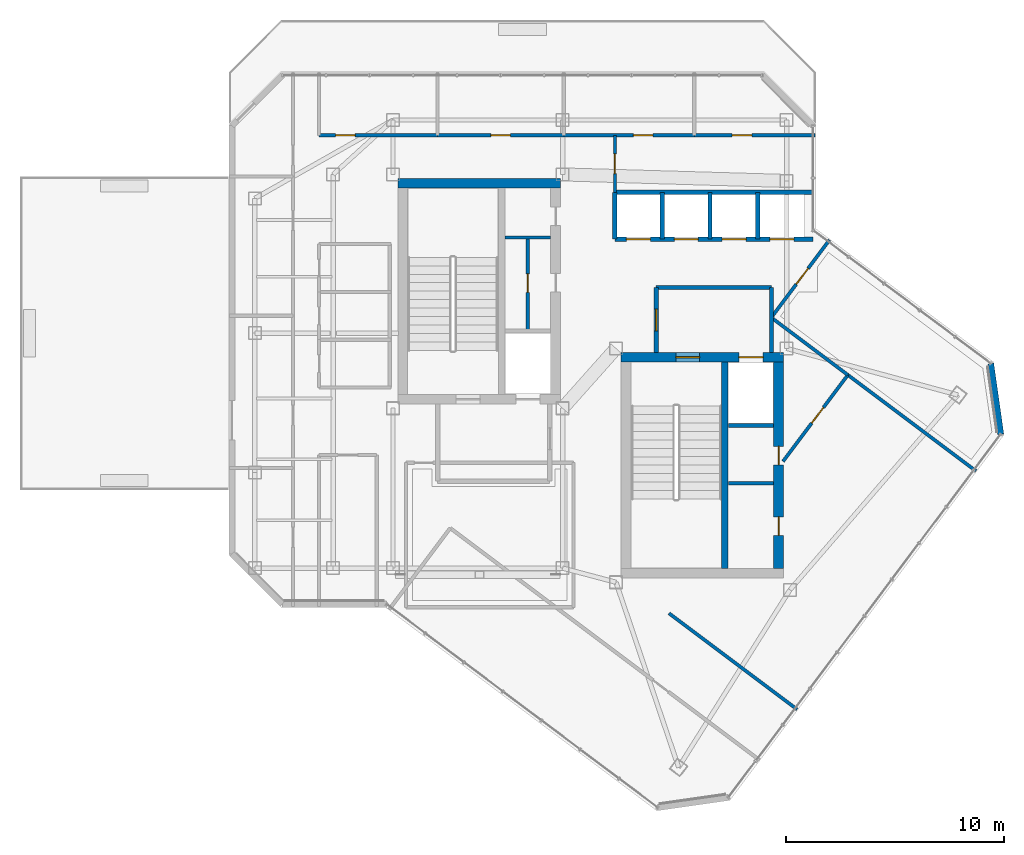
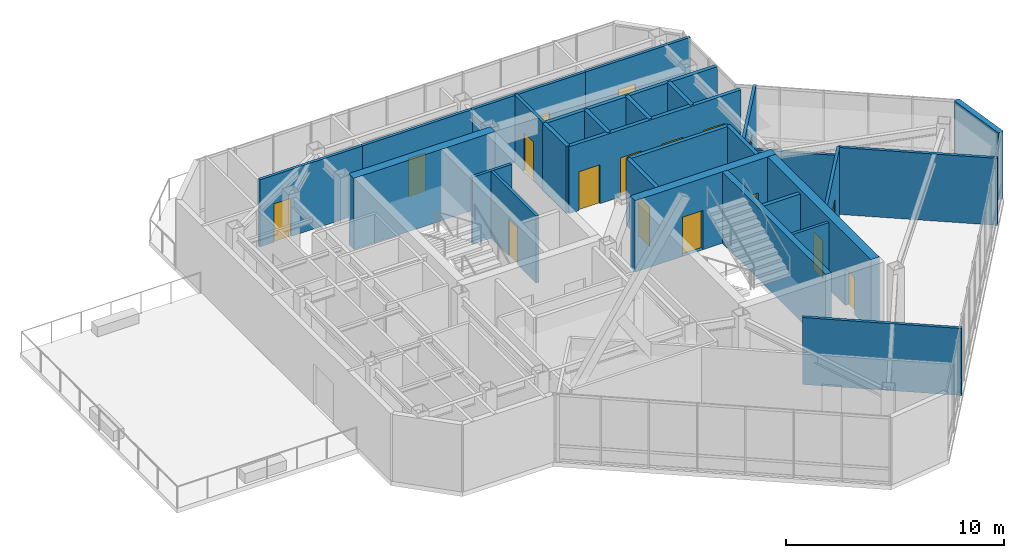
# One storey, part 17 of 21: 28 walls, 17 doors, 17 openings.
"""IFC4 building model written with IfcOpenShell, lengths in metres."""

from ifc_helpers import new_model, si_unit, direction, frame, frame_2d, origin, place, context, subcontext, project, spatial, rectangle, extrude, material, layer, layer_set, type_object, element, fill, save


model = new_model("IFC4")

# Units and contexts
model_context = context("Model", 3, precision=1e-05, world=origin(), true_north=direction((0.0, 1.0)))
body_context = subcontext(model_context, "Body", "Model", "MODEL_VIEW")
ifc_project = project(units=[si_unit("LENGTHUNIT", "METRE"), si_unit("AREAUNIT", "SQUARE_METRE"), si_unit("VOLUMEUNIT", "CUBIC_METRE"), si_unit("PLANEANGLEUNIT", "RADIAN"), si_unit("MASSUNIT", "GRAM", prefix="KILO")], contexts=[model_context])

# Site, building, storey
site_placement = place(None, origin())
site = spatial("IfcSite", under=ifc_project, at=site_placement, CompositionType="ELEMENT")
building_placement = place(site_placement, origin())
building = spatial("IfcBuilding", under=site, at=building_placement, Name="Hatsunagi Terrace Concourse", CompositionType="ELEMENT")
storey_placement = place(building_placement, frame((0.0, 0.0, 265.949951171875)))
storey = spatial("IfcBuildingStorey", under=building, at=storey_placement, Name="L70", CompositionType="ELEMENT", Elevation=265.949951171875)

# Wall
ifc_material_1 = material(Name="Concrete Fc42", Category="concrete")
ifc_layer_1 = layer(ifc_material_1, 0.449951171875)
ifc_layer_set_1 = layer_set([ifc_layer_1], Name="CoreShearWall_Fc42_450")
wall_type_1 = type_object("IfcWallType", Name="CoreShearWall_Fc42_450", PredefinedType="SHEAR", material=ifc_layer_set_1)
wall_1_placement = place(storey_placement, frame((25.77001953125, 42.89501953125, 0.0), z_axis=(0.0, 0.0, 1.0), x_axis=(1.0, 0.0, 0.0)))
element("IfcWall", 1, at=wall_1_placement, inside=storey, type_object=wall_type_1, Name="Core A Shear Wall N L70", PredefinedType="SHEAR", context=body_context, shape_type="SweptSolid", body=[
    extrude(rectangle(XDim=7.47998046875, YDim=0.449951171875, at=frame_2d((3.739990234375, 0.0))), origin(), (0.0, 0.0, 1.0), 4.0),
])

# Wall, openings, doors
wall_2_placement = place(storey_placement, frame((36.0400390625, 34.89501953125, 0.0), z_axis=(0.0, 0.0, 1.0), x_axis=(1.0, 0.0, 0.0)))
wall_2 = element("IfcWall", 2, at=wall_2_placement, inside=storey, type_object=wall_type_1, Name="Core B Shear Wall N L70", PredefinedType="SHEAR", context=body_context, shape_type="SweptSolid", body=[
    extrude(rectangle(XDim=7.4599609375, YDim=0.449951171875, at=frame_2d((3.72998046875, 0.0))), origin(), (0.0, 0.0, 1.0), 4.0),
])
opening_1_placement = place(wall_2_placement, frame((2.510009765625, 0.0, 0.0)))
opening_1 = element("IfcOpeningElement", 3, at=opening_1_placement, cuts=wall_2, Name="Opening DR-110S", PredefinedType="OPENING", context=body_context, shape_type="SweptSolid", body=[
    extrude(rectangle(XDim=1.10009765625, YDim=2.199951171875, at=frame_2d((0.550048828125, 1.10009765625))), frame((0.0, 0.23486328125, 0.0), z_axis=(0.0, -1.0, 0.0), x_axis=(1.0, 0.0, 0.0)), (0.0, 0.0, 1.0), 0.469970703125),
])
opening_2_placement = place(wall_2_placement, frame((5.409912109375, 0.0, 0.0)))
opening_2 = element("IfcOpeningElement", 4, at=opening_2_placement, cuts=wall_2, Name="Opening LD-02", PredefinedType="OPENING", context=body_context, shape_type="SweptSolid", body=[
    extrude(rectangle(XDim=1.1201171875, YDim=2.14990234375, at=frame_2d((0.56005859375, 1.074951171875))), frame((0.0, 0.23486328125, 0.0), z_axis=(0.0, -1.0, 0.0), x_axis=(1.0, 0.0, 0.0)), (0.0, 0.0, 1.0), 0.469970703125),
])
ifc_material_2 = material(Name="Stainless steel", Category="steel")
door_type_1 = type_object("IfcDoorType", Name="LiftLandingDoor_LD02", OperationType="SLIDING_TO_RIGHT", PredefinedType="USERDEFINED", material=ifc_material_2)
door_1_placement = place(opening_2_placement, origin())
door_1 = element("IfcDoor", 5, at=door_1_placement, inside=storey, type_object=door_type_1, Name="Lift landing door FF-02 L70", ObjectType="SLIDING_LANDING_DOOR", OperationType="SLIDING_TO_RIGHT", OverallHeight=2.14990234375, OverallWidth=1.1201171875, PredefinedType="USERDEFINED", context=body_context, shape_type="SweptSolid", body=[
    extrude(rectangle(XDim=1.1201171875, YDim=2.14990234375, at=frame_2d((0.56005859375, 1.074951171875))), frame((0.0, 0.02490234375, 0.0), z_axis=(0.0, -1.0, 0.0), x_axis=(1.0, 0.0, 0.0)), (0.0, 0.0, 1.0), 0.050048828125),
])
fill(opening_2, door_1)
ifc_material_3 = material(Name="Painted steel", Category="steel")
door_type_2 = type_object("IfcDoorType", Name="StairFireDoor_EI60_1100", OperationType="NOTDEFINED", PredefinedType="DOOR", material=ifc_material_3)
door_2_placement = place(opening_1_placement, origin())
door_2 = element("IfcDoor", 6, at=door_2_placement, inside=storey, type_object=door_type_2, Name="Stair ST-B Exit Door L70", OperationType="SINGLE_SWING_RIGHT", OverallHeight=2.199951171875, OverallWidth=1.10009765625, PredefinedType="DOOR", context=body_context, shape_type="SweptSolid", body=[
    extrude(rectangle(XDim=1.10009765625, YDim=2.199951171875, at=frame_2d((0.550048828125, 1.10009765625))), frame((0.0, 0.02490234375, 0.0), z_axis=(0.0, -1.0, 0.0), x_axis=(1.0, 0.0, 0.0)), (0.0, 0.0, 1.0), 0.050048828125),
])
fill(opening_1, door_2)

wall_3_placement = place(storey_placement, frame((43.27490234375, 25.18994140625, 0.0), z_axis=(0.0, 0.0, 1.0), x_axis=(0.0, 1.0, 0.0)))
wall_3 = element("IfcWall", 7, at=wall_3_placement, inside=storey, type_object=wall_type_1, Name="Core B Shear Wall E L70", PredefinedType="SHEAR", context=body_context, shape_type="SweptSolid", body=[
    extrude(rectangle(XDim=9.47998046875, YDim=0.449951171875, at=frame_2d((4.739990234375, 0.0))), origin(), (0.0, 0.0, 1.0), 4.0),
])
opening_3_placement = place(wall_3_placement, frame((1.510009765625, 0.0, 0.0)))
opening_3 = element("IfcOpeningElement", 8, at=opening_3_placement, cuts=wall_3, Name="Opening DR-085", PredefinedType="OPENING", context=body_context, shape_type="SweptSolid", body=[
    extrude(rectangle(XDim=0.85009765625, YDim=2.080078125, at=frame_2d((0.425048828125, 1.0400390625))), frame((0.0, 0.23486328125, 0.0), z_axis=(0.0, -1.0, 0.0), x_axis=(1.0, 0.0, 0.0)), (0.0, 0.0, 1.0), 0.469970703125),
])
opening_4_placement = place(wall_3_placement, frame((4.760009765625, 0.0, 0.0)))
opening_4 = element("IfcOpeningElement", 9, at=opening_4_placement, cuts=wall_3, Name="Opening DR-085", PredefinedType="OPENING", context=body_context, shape_type="SweptSolid", body=[
    extrude(rectangle(XDim=0.85009765625, YDim=2.080078125, at=frame_2d((0.425048828125, 1.0400390625))), frame((0.0, 0.23486328125, 0.0), z_axis=(0.0, -1.0, 0.0), x_axis=(1.0, 0.0, 0.0)), (0.0, 0.0, 1.0), 0.469970703125),
])
ifc_material_4 = material(Name="Painted steel", Category="steel")
door_type_3 = type_object("IfcDoorType", Name="RiserAccessDoor_EI60_850", OperationType="NOTDEFINED", PredefinedType="DOOR", material=ifc_material_4)
door_3_placement = place(opening_3_placement, origin())
door_3 = element("IfcDoor", 10, at=door_3_placement, inside=storey, type_object=door_type_3, Name="Core B Riser Door L70-1", OperationType="SINGLE_SWING_RIGHT", OverallHeight=2.080078125, OverallWidth=0.85009765625, PredefinedType="DOOR", context=body_context, shape_type="SweptSolid", body=[
    extrude(rectangle(XDim=0.85009765625, YDim=2.080078125, at=frame_2d((0.425048828125, 1.0400390625))), frame((0.0, 0.02490234375, 0.0), z_axis=(0.0, -1.0, 0.0), x_axis=(1.0, 0.0, 0.0)), (0.0, 0.0, 1.0), 0.050048828125),
])
fill(opening_3, door_3)
door_4_placement = place(opening_4_placement, origin())
door_4 = element("IfcDoor", 11, at=door_4_placement, inside=storey, type_object=door_type_3, Name="Core B Riser Door L70-2", OperationType="SINGLE_SWING_RIGHT", OverallHeight=2.080078125, OverallWidth=0.85009765625, PredefinedType="DOOR", context=body_context, shape_type="SweptSolid", body=[
    extrude(rectangle(XDim=0.85009765625, YDim=2.080078125, at=frame_2d((0.425048828125, 1.0400390625))), frame((0.0, 0.02490234375, 0.0), z_axis=(0.0, -1.0, 0.0), x_axis=(1.0, 0.0, 0.0)), (0.0, 0.0, 1.0), 0.050048828125),
])
fill(opening_4, door_4)

# Wall
ifc_material_5 = material(Name="Concrete Fc48", Category="concrete")
ifc_layer_2 = layer(ifc_material_5, 0.300048828125)
ifc_layer_set_2 = layer_set([ifc_layer_2], Name="CoreStairDivider_Fc48_300")
wall_type_2 = type_object("IfcWallType", Name="CoreStairDivider_Fc48_300", PredefinedType="SHEAR", material=ifc_layer_set_2)
wall_4_placement = place(storey_placement, frame((40.81005859375, 25.18994140625, 0.0), z_axis=(0.0, 0.0, 1.0), x_axis=(0.0, 1.0, 0.0)))
element("IfcWall", 12, at=wall_4_placement, inside=storey, type_object=wall_type_2, Name="Core B Shear Wall D L70", PredefinedType="SHEAR", context=body_context, shape_type="SweptSolid", body=[
    extrude(rectangle(XDim=9.47998046875, YDim=0.300048828125, at=frame_2d((4.739990234375, 0.0))), origin(), (0.0, 0.0, 1.0), 4.0),
])

# Wall, opening, door
ifc_material_6 = material(Name="Acoustic mineral board", Category="gypsum")
ifc_layer_3 = layer(ifc_material_6, 0.14990234375)
ifc_layer_set_3 = layer_set([ifc_layer_3], Name="PartitionWall_EI60_150")
wall_type_3 = type_object("IfcWallType", Name="PartitionWall_EI60_150", PredefinedType="PARTITIONING", material=ifc_layer_set_3)
wall_5_placement = place(storey_placement, frame((31.75, 36.179931640625, 0.0), z_axis=(0.0, 0.0, 1.0), x_axis=(0.0, 1.0, 0.0)))
wall_5 = element("IfcWall", 13, at=wall_5_placement, inside=storey, type_object=wall_type_3, Name="Interior Partition IW-L70-002", PredefinedType="PARTITIONING", context=body_context, shape_type="SweptSolid", body=[
    extrude(rectangle(XDim=4.239990234375, YDim=0.14990234375, at=frame_2d((2.1201171875, 0.0))), origin(), (0.0, 0.0, 1.0), 3.75),
])
opening_5_placement = place(wall_5_placement, frame((1.695068359375, 0.0, 0.0)))
opening_5 = element("IfcOpeningElement", 14, at=opening_5_placement, cuts=wall_5, Name="Opening DR-085", PredefinedType="OPENING", context=body_context, shape_type="SweptSolid", body=[
    extrude(rectangle(XDim=0.85009765625, YDim=2.080078125, at=frame_2d((0.425048828125, 1.0400390625))), frame((0.0, 0.0849609375, 0.0), z_axis=(0.0, -1.0, 0.0), x_axis=(1.0, 0.0, 0.0)), (0.0, 0.0, 1.0), 0.169921875),
])
door_5_placement = place(opening_5_placement, origin())
door_5 = element("IfcDoor", 15, at=door_5_placement, inside=storey, type_object=door_type_3, Name="Core A Sub-Riser Door L70", OperationType="SINGLE_SWING_LEFT", OverallHeight=2.080078125, OverallWidth=0.85009765625, PredefinedType="DOOR", context=body_context, shape_type="SweptSolid", body=[
    extrude(rectangle(XDim=0.85009765625, YDim=2.080078125, at=frame_2d((0.425048828125, 1.0400390625))), frame((0.0, 0.02490234375, 0.0), z_axis=(0.0, -1.0, 0.0), x_axis=(1.0, 0.0, 0.0)), (0.0, 0.0, 1.0), 0.050048828125),
])
fill(opening_5, door_5)

# Walls
wall_6_placement = place(storey_placement, frame((30.699951171875, 40.39990234375, 0.0), z_axis=(0.0, 0.0, 1.0), x_axis=(1.0, 0.0, 0.0)))
element("IfcWall", 16, at=wall_6_placement, inside=storey, type_object=wall_type_3, Name="Interior Partition IW-L70-003", PredefinedType="PARTITIONING", context=body_context, shape_type="SweptSolid", body=[
    extrude(rectangle(XDim=2.10009765625, YDim=0.14990234375, at=frame_2d((1.050048828125, 0.0))), origin(), (0.0, 0.0, 1.0), 3.75),
])
wall_7_placement = place(storey_placement, frame((40.969970703125, 29.10009765625, 0.0), z_axis=(0.0, 0.0, 1.0), x_axis=(1.0, 0.0, 0.0)))
element("IfcWall", 17, at=wall_7_placement, inside=storey, type_object=wall_type_3, Name="Interior Partition IW-L70-005", PredefinedType="PARTITIONING", context=body_context, shape_type="SweptSolid", body=[
    extrude(rectangle(XDim=2.080078125, YDim=0.14990234375, at=frame_2d((1.0400390625, 0.0))), origin(), (0.0, 0.0, 1.0), 3.75),
])

# Wall, opening, door
wall_8_placement = place(storey_placement, frame((22.14990234375, 45.10009765625, 0.0), z_axis=(0.0, 0.0, 1.0), x_axis=(1.0, 0.0, 0.0)))
wall_8 = element("IfcWall", 18, at=wall_8_placement, inside=storey, type_object=wall_type_3, Name="Interior Partition IW-L70-030", PredefinedType="PARTITIONING", context=body_context, shape_type="SweptSolid", body=[
    extrude(rectangle(XDim=5.4501953125, YDim=0.14990234375, at=frame_2d((2.72509765625, 0.0))), origin(), (0.0, 0.0, 1.0), 3.75),
])
opening_6_placement = place(wall_8_placement, frame((0.759033203125, 0.0, 0.0)))
opening_6 = element("IfcOpeningElement", 19, at=opening_6_placement, cuts=wall_8, Name="Opening DR-090", PredefinedType="OPENING", context=body_context, shape_type="SweptSolid", body=[
    extrude(rectangle(XDim=0.89990234375, YDim=2.14990234375, at=frame_2d((0.449951171875, 1.074951171875))), frame((0.0, 0.0849609375, 0.0), z_axis=(0.0, -1.0, 0.0), x_axis=(1.0, 0.0, 0.0)), (0.0, 0.0, 1.0), 0.169921875),
])
ifc_material_7 = material(Name="Hardwood timber", Category="wood")
door_type_4 = type_object("IfcDoorType", Name="CrownPavilionDoor_EI30_900", OperationType="NOTDEFINED", PredefinedType="DOOR", material=ifc_material_7)
door_6_placement = place(opening_6_placement, origin())
door_6 = element("IfcDoor", 20, at=door_6_placement, inside=storey, type_object=door_type_4, Name="Focus Room L70-CRN1 Door", OperationType="SINGLE_SWING_LEFT", OverallHeight=2.14990234375, OverallWidth=0.89990234375, PredefinedType="DOOR", context=body_context, shape_type="SweptSolid", body=[
    extrude(rectangle(XDim=0.89990234375, YDim=2.14990234375, at=frame_2d((0.449951171875, 1.074951171875))), frame((0.0, 0.02490234375, 0.0), z_axis=(0.0, -1.0, 0.0), x_axis=(1.0, 0.0, 0.0)), (0.0, 0.0, 1.0), 0.050048828125),
])
fill(opening_6, door_6)

wall_9_placement = place(storey_placement, frame((27.60009765625, 45.10009765625, 0.0), z_axis=(0.0, 0.0, 1.0), x_axis=(1.0, 0.0, 0.0)))
wall_9 = element("IfcWall", 21, at=wall_9_placement, inside=storey, type_object=wall_type_3, Name="Interior Partition IW-L70-033", PredefinedType="PARTITIONING", context=body_context, shape_type="SweptSolid", body=[
    extrude(rectangle(XDim=5.7998046875, YDim=0.14990234375, at=frame_2d((2.89990234375, 0.0))), origin(), (0.0, 0.0, 1.0), 3.75),
])
opening_7_placement = place(wall_9_placement, frame((2.449951171875, 0.0, 0.0)))
opening_7 = element("IfcOpeningElement", 22, at=opening_7_placement, cuts=wall_9, Name="Opening DR-090", PredefinedType="OPENING", context=body_context, shape_type="SweptSolid", body=[
    extrude(rectangle(XDim=0.89990234375, YDim=2.14990234375, at=frame_2d((0.449951171875, 1.074951171875))), frame((0.0, 0.0849609375, 0.0), z_axis=(0.0, -1.0, 0.0), x_axis=(1.0, 0.0, 0.0)), (0.0, 0.0, 1.0), 0.169921875),
])
door_7_placement = place(opening_7_placement, origin())
door_7 = element("IfcDoor", 23, at=door_7_placement, inside=storey, type_object=door_type_4, Name="Executive Office L70-CRN2 Door", OperationType="SINGLE_SWING_RIGHT", OverallHeight=2.14990234375, OverallWidth=0.89990234375, PredefinedType="DOOR", context=body_context, shape_type="SweptSolid", body=[
    extrude(rectangle(XDim=0.89990234375, YDim=2.14990234375, at=frame_2d((0.449951171875, 1.074951171875))), frame((0.0, 0.02490234375, 0.0), z_axis=(0.0, -1.0, 0.0), x_axis=(1.0, 0.0, 0.0)), (0.0, 0.0, 1.0), 0.050048828125),
])
fill(opening_7, door_7)

wall_10_placement = place(storey_placement, frame((33.39990234375, 45.10009765625, 0.0), z_axis=(0.0, 0.0, 1.0), x_axis=(1.0, 0.0, 0.0)))
wall_10 = element("IfcWall", 24, at=wall_10_placement, inside=storey, type_object=wall_type_3, Name="Interior Partition IW-L70-035", PredefinedType="PARTITIONING", context=body_context, shape_type="SweptSolid", body=[
    extrude(rectangle(XDim=6.0, YDim=0.14990234375, at=frame_2d((3.0, 0.0))), origin(), (0.0, 0.0, 1.0), 3.75),
])
opening_8_placement = place(wall_10_placement, frame((3.200927734375, 0.0, 0.0)))
opening_8 = element("IfcOpeningElement", 25, at=opening_8_placement, cuts=wall_10, Name="Opening DR-090", PredefinedType="OPENING", context=body_context, shape_type="SweptSolid", body=[
    extrude(rectangle(XDim=0.89990234375, YDim=2.14990234375, at=frame_2d((0.449951171875, 1.074951171875))), frame((0.0, 0.0849609375, 0.0), z_axis=(0.0, -1.0, 0.0), x_axis=(1.0, 0.0, 0.0)), (0.0, 0.0, 1.0), 0.169921875),
])
door_8_placement = place(opening_8_placement, origin())
door_8 = element("IfcDoor", 26, at=door_8_placement, inside=storey, type_object=door_type_4, Name="VIP Lounge L70-CRN3 Door", OperationType="SINGLE_SWING_RIGHT", OverallHeight=2.14990234375, OverallWidth=0.89990234375, PredefinedType="DOOR", context=body_context, shape_type="SweptSolid", body=[
    extrude(rectangle(XDim=0.89990234375, YDim=2.14990234375, at=frame_2d((0.449951171875, 1.074951171875))), frame((0.0, 0.02490234375, 0.0), z_axis=(0.0, -1.0, 0.0), x_axis=(1.0, 0.0, 0.0)), (0.0, 0.0, 1.0), 0.050048828125),
])
fill(opening_8, door_8)

wall_11_placement = place(storey_placement, frame((39.39990234375, 45.10009765625, 0.0), z_axis=(0.0, 0.0, 1.0), x_axis=(1.0, 0.0, 0.0)))
wall_11 = element("IfcWall", 27, at=wall_11_placement, inside=storey, type_object=wall_type_3, Name="Interior Partition IW-L70-037", PredefinedType="PARTITIONING", context=body_context, shape_type="SweptSolid", body=[
    extrude(rectangle(XDim=5.56005859375, YDim=0.14990234375, at=frame_2d((2.780029296875, 0.0))), origin(), (0.0, 0.0, 1.0), 3.75),
])
opening_9_placement = place(wall_11_placement, frame((1.7451171875, 0.0, 0.0)))
opening_9 = element("IfcOpeningElement", 28, at=opening_9_placement, cuts=wall_11, Name="Opening DR-090", PredefinedType="OPENING", context=body_context, shape_type="SweptSolid", body=[
    extrude(rectangle(XDim=0.89990234375, YDim=2.14990234375, at=frame_2d((0.449951171875, 1.074951171875))), frame((0.0, 0.0849609375, 0.0), z_axis=(0.0, -1.0, 0.0), x_axis=(1.0, 0.0, 0.0)), (0.0, 0.0, 1.0), 0.169921875),
])
door_9_placement = place(opening_9_placement, origin())
door_9 = element("IfcDoor", 29, at=door_9_placement, inside=storey, type_object=door_type_4, Name="Executive Office L70-CRN4 Door", OperationType="SINGLE_SWING_RIGHT", OverallHeight=2.14990234375, OverallWidth=0.89990234375, PredefinedType="DOOR", context=body_context, shape_type="SweptSolid", body=[
    extrude(rectangle(XDim=0.89990234375, YDim=2.14990234375, at=frame_2d((0.449951171875, 1.074951171875))), frame((0.0, 0.02490234375, 0.0), z_axis=(0.0, -1.0, 0.0), x_axis=(1.0, 0.0, 0.0)), (0.0, 0.0, 1.0), 0.050048828125),
])
fill(opening_9, door_9)

wall_12_placement = place(storey_placement, frame((35.75, 42.47998046875, 0.0), z_axis=(0.0, 0.0, 1.0), x_axis=(0.0, 1.0, 0.0)))
wall_12 = element("IfcWall", 30, at=wall_12_placement, inside=storey, type_object=wall_type_3, Name="Interior Partition IW-L70-038", PredefinedType="PARTITIONING", context=body_context, shape_type="SweptSolid", body=[
    extrude(rectangle(XDim=2.6201171875, YDim=0.14990234375, at=frame_2d((1.31005859375, 0.0))), origin(), (0.0, 0.0, 1.0), 3.75),
])
opening_10_placement = place(wall_12_placement, frame((0.860107421875, 0.0, 0.0)))
opening_10 = element("IfcOpeningElement", 31, at=opening_10_placement, cuts=wall_12, Name="Opening DR-090", PredefinedType="OPENING", context=body_context, shape_type="SweptSolid", body=[
    extrude(rectangle(XDim=0.89990234375, YDim=2.14990234375, at=frame_2d((0.449951171875, 1.074951171875))), frame((0.0, 0.0849609375, 0.0), z_axis=(0.0, -1.0, 0.0), x_axis=(1.0, 0.0, 0.0)), (0.0, 0.0, 1.0), 0.169921875),
])
door_10_placement = place(opening_10_placement, origin())
door_10 = element("IfcDoor", 32, at=door_10_placement, inside=storey, type_object=door_type_4, Name="Crown Tea Salon L70-CRTEA Door", OperationType="SINGLE_SWING_RIGHT", OverallHeight=2.14990234375, OverallWidth=0.89990234375, PredefinedType="DOOR", context=body_context, shape_type="SweptSolid", body=[
    extrude(rectangle(XDim=0.89990234375, YDim=2.14990234375, at=frame_2d((0.449951171875, 1.074951171875))), frame((0.0, 0.02490234375, 0.0), z_axis=(0.0, -1.0, 0.0), x_axis=(1.0, 0.0, 0.0)), (0.0, 0.0, 1.0), 0.050048828125),
])
fill(opening_10, door_10)

# Walls
for number, where, z_axis, x_axis, name in (
    (33, (38.239990234375, 23.1201171875, 0.0), (0.0, 0.0, 1.0), (0.799996019408, -0.60000530742, 0.0), "Interior Partition IW-L70-051"),
    (34, (46.4599609375, 34.080078125, 0.0), (0.0, 0.0, 1.0), (0.799996019408, -0.60000530742, 0.0), "Interior Partition IW-L70-052"),
):
    element("IfcWall", number, at=place(storey_placement, frame(where, z_axis=z_axis, x_axis=x_axis)), inside=storey, type_object=wall_type_3, Name=name, PredefinedType="PARTITIONING", context=body_context, shape_type="SweptSolid", body=[
        extrude(rectangle(XDim=7.35986328125, YDim=0.14990234375, at=frame_2d((3.679931640625, 0.0))), origin(), (0.0, 0.0, 1.0), 3.75),
    ])

# Wall, opening, door
wall_13_placement = place(storey_placement, frame((43.47998046875, 30.10693359375, 0.0), z_axis=(0.0, 0.0, 1.0), x_axis=(0.600015730265, 0.799988202059, 0.0)))
wall_13 = element("IfcWall", 35, at=wall_13_placement, inside=storey, type_object=wall_type_3, Name="Interior Partition IW-L70-053", PredefinedType="PARTITIONING", context=body_context, shape_type="SweptSolid", body=[
    extrude(rectangle(XDim=4.966552734375, YDim=0.14990234375, at=frame_2d((2.4833984375, 0.0))), origin(), (0.0, 0.0, 1.0), 3.75),
])
opening_11_placement = place(wall_13_placement, frame((2.198974609375, 0.0, 0.0)))
opening_11 = element("IfcOpeningElement", 36, at=opening_11_placement, cuts=wall_13, Name="Opening DR-090", PredefinedType="OPENING", context=body_context, shape_type="SweptSolid", body=[
    extrude(rectangle(XDim=0.89990234375, YDim=2.14990234375, at=frame_2d((0.449951171875, 1.074951171875))), frame((0.0, 0.0849609375, 0.0), z_axis=(0.0, -1.0, 0.0), x_axis=(1.0, 0.0, 0.0)), (0.0, 0.0, 1.0), 0.169921875),
])
door_11_placement = place(opening_11_placement, origin())
door_11 = element("IfcDoor", 37, at=door_11_placement, inside=storey, type_object=door_type_4, Name="Botanical Lounge L70-CRSE1 Door", OperationType="SINGLE_SWING_RIGHT", OverallHeight=2.14990234375, OverallWidth=0.89990234375, PredefinedType="DOOR", context=body_context, shape_type="SweptSolid", body=[
    extrude(rectangle(XDim=0.89990234375, YDim=2.14990234375, at=frame_2d((0.449951171875, 1.074951171875))), frame((0.0, 0.02490234375, 0.0), z_axis=(0.0, -1.0, 0.0), x_axis=(1.0, 0.0, 0.0)), (0.0, 0.0, 1.0), 0.050048828125),
])
fill(opening_11, door_11)

# Wall
wall_14_placement = place(storey_placement, frame((42.93994140625, 36.719970703125, 0.0), z_axis=(0.0, 0.0, 1.0), x_axis=(0.800013316712, -0.599982243973, 0.0)))
element("IfcWall", 38, at=wall_14_placement, inside=storey, type_object=wall_type_3, Name="Interior Partition IW-L70-054", PredefinedType="PARTITIONING", context=body_context, shape_type="SweptSolid", body=[
    extrude(rectangle(XDim=4.39990234375, YDim=0.14990234375, at=frame_2d((2.199951171875, 0.0))), origin(), (0.0, 0.0, 1.0), 3.295166015625),
])

# Wall, opening, door
wall_15_placement = place(storey_placement, frame((42.93994140625, 36.719970703125, 0.0), z_axis=(0.0, 0.0, 1.0), x_axis=(0.599991241767, 0.8000065686, 0.0)))
wall_15 = element("IfcWall", 39, at=wall_15_placement, inside=storey, type_object=wall_type_3, Name="Interior Partition IW-L70-055", PredefinedType="PARTITIONING", context=body_context, shape_type="SweptSolid", body=[
    extrude(rectangle(XDim=4.460205078125, YDim=0.14990234375, at=frame_2d((2.22998046875, 0.0))), origin(), (0.0, 0.0, 1.0), 3.75),
])
opening_12_placement = place(wall_15_placement, frame((1.919921875, 0.0, 0.0)))
opening_12 = element("IfcOpeningElement", 40, at=opening_12_placement, cuts=wall_15, Name="Opening DR-090", PredefinedType="OPENING", context=body_context, shape_type="SweptSolid", body=[
    extrude(rectangle(XDim=0.89990234375, YDim=2.14990234375, at=frame_2d((0.449951171875, 1.074951171875))), frame((0.0, 0.0849609375, 0.0), z_axis=(0.0, -1.0, 0.0), x_axis=(1.0, 0.0, 0.0)), (0.0, 0.0, 1.0), 0.169921875),
])
door_12_placement = place(opening_12_placement, origin())
door_12 = element("IfcDoor", 41, at=door_12_placement, inside=storey, type_object=door_type_4, Name="Meeting Room L70-CRSE2 Door", OperationType="SINGLE_SWING_LEFT", OverallHeight=2.14990234375, OverallWidth=0.89990234375, PredefinedType="DOOR", context=body_context, shape_type="SweptSolid", body=[
    extrude(rectangle(XDim=0.89990234375, YDim=2.14990234375, at=frame_2d((0.449951171875, 1.074951171875))), frame((0.0, 0.02490234375, 0.0), z_axis=(0.0, -1.0, 0.0), x_axis=(1.0, 0.0, 0.0)), (0.0, 0.0, 1.0), 0.050048828125),
])
fill(opening_12, door_12)

# Walls
ifc_material_8 = material(Name="Acoustic mineral board", Category="gypsum")
ifc_layer_4 = layer(ifc_material_8, 0.199951171875)
ifc_layer_set_4 = layer_set([ifc_layer_4], Name="ShaftWall_EI120_200")
wall_type_4 = type_object("IfcWallType", Name="ShaftWall_EI120_200", PredefinedType="STANDARD", material=ifc_layer_set_4)
wall_16_placement = place(storey_placement, frame((40.969970703125, 31.760009765625, 0.0), z_axis=(0.0, 0.0, 1.0), x_axis=(1.0, 0.0, 0.0)))
element("IfcWall", 42, at=wall_16_placement, inside=storey, type_object=wall_type_4, Name="Interior Partition IW-L70-004", PredefinedType="STANDARD", context=body_context, shape_type="SweptSolid", body=[
    extrude(rectangle(XDim=2.080078125, YDim=0.199951171875, at=frame_2d((1.0400390625, 0.0))), origin(), (0.0, 0.0, 1.0), 3.75),
])
wall_17_placement = place(storey_placement, frame((37.64990234375, 38.10009765625, 0.0), z_axis=(0.0, 0.0, 1.0), x_axis=(1.0, 0.0, 0.0)))
element("IfcWall", 43, at=wall_17_placement, inside=storey, type_object=wall_type_4, Name="Interior Partition IW-L70-009", PredefinedType="STANDARD", context=body_context, shape_type="SweptSolid", body=[
    extrude(rectangle(XDim=5.300048828125, YDim=0.199951171875, at=frame_2d((2.64990234375, 0.0))), origin(), (0.0, 0.0, 1.0), 3.75),
])
wall_18_placement = place(storey_placement, frame((42.949951171875, 35.1201171875, 0.0), z_axis=(0.0, 0.0, 1.0), x_axis=(0.0, 1.0, 0.0)))
element("IfcWall", 44, at=wall_18_placement, inside=storey, type_object=wall_type_4, Name="Interior Partition IW-L70-010", PredefinedType="STANDARD", context=body_context, shape_type="SweptSolid", body=[
    extrude(rectangle(XDim=2.97998046875, YDim=0.199951171875, at=frame_2d((1.489990234375, 0.0))), origin(), (0.0, 0.0, 1.0), 3.75),
])

# Wall, opening, door
wall_19_placement = place(storey_placement, frame((37.64990234375, 35.1201171875, 0.0), z_axis=(0.0, 0.0, 1.0), x_axis=(0.0, 1.0, 0.0)))
wall_19 = element("IfcWall", 45, at=wall_19_placement, inside=storey, type_object=wall_type_4, Name="Interior Partition IW-L70-011", PredefinedType="STANDARD", context=body_context, shape_type="SweptSolid", body=[
    extrude(rectangle(XDim=2.97998046875, YDim=0.199951171875, at=frame_2d((1.489990234375, 0.0))), origin(), (0.0, 0.0, 1.0), 3.75),
])
opening_13_placement = place(wall_19_placement, frame((0.989990234375, 0.0, 0.0)))
opening_13 = element("IfcOpeningElement", 46, at=opening_13_placement, cuts=wall_19, Name="Opening DR-100F", PredefinedType="OPENING", context=body_context, shape_type="SweptSolid", body=[
    extrude(rectangle(XDim=1.0, YDim=2.199951171875, at=frame_2d((0.5, 1.10009765625))), frame((0.0, 0.10986328125, 0.0), z_axis=(0.0, -1.0, 0.0), x_axis=(1.0, 0.0, 0.0)), (0.0, 0.0, 1.0), 0.219970703125),
])
ifc_material_9 = material(Name="Painted steel", Category="steel")
door_type_5 = type_object("IfcDoorType", Name="FireDoor_EI60_1000", OperationType="NOTDEFINED", PredefinedType="DOOR", material=ifc_material_9)
door_13_placement = place(opening_13_placement, origin())
door_13 = element("IfcDoor", 47, at=door_13_placement, inside=storey, type_object=door_type_5, Name="Firefighting Lobby B Door L70", OperationType="SINGLE_SWING_RIGHT", OverallHeight=2.199951171875, OverallWidth=1.0, PredefinedType="DOOR", context=body_context, shape_type="SweptSolid", body=[
    extrude(rectangle(XDim=1.0, YDim=2.199951171875, at=frame_2d((0.5, 1.10009765625))), frame((0.0, 0.02490234375, 0.0), z_axis=(0.0, -1.0, 0.0), x_axis=(1.0, 0.0, 0.0)), (0.0, 0.0, 1.0), 0.050048828125),
])
fill(opening_13, door_13)

# Walls
wall_20_placement = place(storey_placement, frame((35.75, 42.47998046875, 0.0), z_axis=(0.0, 0.0, 1.0), x_axis=(1.0, 0.0, 0.0)))
element("IfcWall", 48, at=wall_20_placement, inside=storey, type_object=wall_type_4, Name="Interior Partition IW-L70-012", PredefinedType="STANDARD", context=body_context, shape_type="SweptSolid", body=[
    extrude(rectangle(XDim=9.110107421875, YDim=0.199951171875, at=frame_2d((4.55517578125, 0.0))), origin(), (0.0, 0.0, 1.0), 3.75),
])
for number, where, z_axis, x_axis, name in (
    (49, (35.75, 40.320068359375, 0.0), (0.0, 0.0, 1.0), (0.0, 1.0, 0.0), "Interior Partition IW-L70-013"),
    (50, (37.919921875, 40.320068359375, 0.0), (0.0, 0.0, 1.0), (0.0, 1.0, 0.0), "Interior Partition IW-L70-014"),
    (51, (40.1201171875, 40.320068359375, 0.0), (0.0, 0.0, 1.0), (0.0, 1.0, 0.0), "Interior Partition IW-L70-015"),
    (52, (42.320068359375, 40.320068359375, 0.0), (0.0, 0.0, 1.0), (0.0, 1.0, 0.0), "Interior Partition IW-L70-016"),
):
    element("IfcWall", number, at=place(storey_placement, frame(where, z_axis=z_axis, x_axis=x_axis)), inside=storey, type_object=wall_type_4, Name=name, PredefinedType="STANDARD", context=body_context, shape_type="SweptSolid", body=[
        extrude(rectangle(XDim=2.159912109375, YDim=0.199951171875, at=frame_2d((1.080078125, 0.0))), origin(), (0.0, 0.0, 1.0), 3.75),
    ])

# Wall, openings, doors
wall_21_placement = place(storey_placement, frame((35.75, 40.320068359375, 0.0), z_axis=(0.0, 0.0, 1.0), x_axis=(1.0, 0.0, 0.0)))
wall_21 = element("IfcWall", 53, at=wall_21_placement, inside=storey, type_object=wall_type_4, Name="Interior Partition IW-L70-017", PredefinedType="STANDARD", context=body_context, shape_type="SweptSolid", body=[
    extrude(rectangle(XDim=9.110107421875, YDim=0.199951171875, at=frame_2d((4.55517578125, 0.0))), origin(), (0.0, 0.0, 1.0), 3.75),
])
opening_14_placement = place(wall_21_placement, frame((0.530029296875, 0.0, 0.0)))
opening_14 = element("IfcOpeningElement", 54, at=opening_14_placement, cuts=wall_21, Name="Opening LD-04", PredefinedType="OPENING", context=body_context, shape_type="SweptSolid", body=[
    extrude(rectangle(XDim=1.10009765625, YDim=2.179931640625, at=frame_2d((0.550048828125, 1.08984375))), frame((0.0, 0.10986328125, 0.0), z_axis=(0.0, -1.0, 0.0), x_axis=(1.0, 0.0, 0.0)), (0.0, 0.0, 1.0), 0.219970703125),
])
opening_15_placement = place(wall_21_placement, frame((2.72998046875, 0.0, 0.0)))
opening_15 = element("IfcOpeningElement", 55, at=opening_15_placement, cuts=wall_21, Name="Opening LD-04", PredefinedType="OPENING", context=body_context, shape_type="SweptSolid", body=[
    extrude(rectangle(XDim=1.10009765625, YDim=2.179931640625, at=frame_2d((0.550048828125, 1.08984375))), frame((0.0, 0.10986328125, 0.0), z_axis=(0.0, -1.0, 0.0), x_axis=(1.0, 0.0, 0.0)), (0.0, 0.0, 1.0), 0.219970703125),
])
opening_16_placement = place(wall_21_placement, frame((4.929931640625, 0.0, 0.0)))
opening_16 = element("IfcOpeningElement", 56, at=opening_16_placement, cuts=wall_21, Name="Opening LD-04", PredefinedType="OPENING", context=body_context, shape_type="SweptSolid", body=[
    extrude(rectangle(XDim=1.10009765625, YDim=2.179931640625, at=frame_2d((0.550048828125, 1.08984375))), frame((0.0, 0.10986328125, 0.0), z_axis=(0.0, -1.0, 0.0), x_axis=(1.0, 0.0, 0.0)), (0.0, 0.0, 1.0), 0.219970703125),
])
opening_17_placement = place(wall_21_placement, frame((7.1298828125, 0.0, 0.0)))
opening_17 = element("IfcOpeningElement", 57, at=opening_17_placement, cuts=wall_21, Name="Opening LD-04", PredefinedType="OPENING", context=body_context, shape_type="SweptSolid", body=[
    extrude(rectangle(XDim=1.10009765625, YDim=2.179931640625, at=frame_2d((0.550048828125, 1.08984375))), frame((0.0, 0.10986328125, 0.0), z_axis=(0.0, -1.0, 0.0), x_axis=(1.0, 0.0, 0.0)), (0.0, 0.0, 1.0), 0.219970703125),
])
ifc_material_10 = material(Name="Stainless steel", Category="steel")
door_type_6 = type_object("IfcDoorType", Name="LiftLandingDoor_LD04", OperationType="SLIDING_TO_RIGHT", PredefinedType="USERDEFINED", material=ifc_material_10)
door_14_placement = place(opening_14_placement, origin())
door_14 = element("IfcDoor", 58, at=door_14_placement, inside=storey, type_object=door_type_6, Name="Lift landing door PL-05 L70", ObjectType="SLIDING_LANDING_DOOR", OperationType="SLIDING_TO_RIGHT", OverallHeight=2.179931640625, OverallWidth=1.10009765625, PredefinedType="USERDEFINED", context=body_context, shape_type="SweptSolid", body=[
    extrude(rectangle(XDim=1.10009765625, YDim=2.179931640625, at=frame_2d((0.550048828125, 1.08984375))), frame((0.0, 0.02490234375, 0.0), z_axis=(0.0, -1.0, 0.0), x_axis=(1.0, 0.0, 0.0)), (0.0, 0.0, 1.0), 0.050048828125),
])
fill(opening_14, door_14)
door_15_placement = place(opening_15_placement, origin())
door_15 = element("IfcDoor", 59, at=door_15_placement, inside=storey, type_object=door_type_6, Name="Lift landing door PL-06 L70", ObjectType="SLIDING_LANDING_DOOR", OperationType="SLIDING_TO_RIGHT", OverallHeight=2.179931640625, OverallWidth=1.10009765625, PredefinedType="USERDEFINED", context=body_context, shape_type="SweptSolid", body=[
    extrude(rectangle(XDim=1.10009765625, YDim=2.179931640625, at=frame_2d((0.550048828125, 1.08984375))), frame((0.0, 0.02490234375, 0.0), z_axis=(0.0, -1.0, 0.0), x_axis=(1.0, 0.0, 0.0)), (0.0, 0.0, 1.0), 0.050048828125),
])
fill(opening_15, door_15)
door_16_placement = place(opening_16_placement, origin())
door_16 = element("IfcDoor", 60, at=door_16_placement, inside=storey, type_object=door_type_6, Name="Lift landing door PL-07 L70", ObjectType="SLIDING_LANDING_DOOR", OperationType="SLIDING_TO_RIGHT", OverallHeight=2.179931640625, OverallWidth=1.10009765625, PredefinedType="USERDEFINED", context=body_context, shape_type="SweptSolid", body=[
    extrude(rectangle(XDim=1.10009765625, YDim=2.179931640625, at=frame_2d((0.550048828125, 1.08984375))), frame((0.0, 0.02490234375, 0.0), z_axis=(0.0, -1.0, 0.0), x_axis=(1.0, 0.0, 0.0)), (0.0, 0.0, 1.0), 0.050048828125),
])
fill(opening_16, door_16)
door_17_placement = place(opening_17_placement, origin())
door_17 = element("IfcDoor", 61, at=door_17_placement, inside=storey, type_object=door_type_6, Name="Lift landing door PL-08 L70", ObjectType="SLIDING_LANDING_DOOR", OperationType="SLIDING_TO_RIGHT", OverallHeight=2.179931640625, OverallWidth=1.10009765625, PredefinedType="USERDEFINED", context=body_context, shape_type="SweptSolid", body=[
    extrude(rectangle(XDim=1.10009765625, YDim=2.179931640625, at=frame_2d((0.550048828125, 1.08984375))), frame((0.0, 0.02490234375, 0.0), z_axis=(0.0, -1.0, 0.0), x_axis=(1.0, 0.0, 0.0)), (0.0, 0.0, 1.0), 0.050048828125),
])
fill(opening_17, door_17)

# Wall
ifc_material_11 = material(Name="Autoclaved Lightweight Concrete and Terracotta Cladding", Category="masonry")
ifc_layer_5 = layer(ifc_material_11, 0.280029296875)
ifc_layer_set_5 = layer_set([ifc_layer_5], Name="TerracottaSpandrelWall_280")
wall_type_5 = type_object("IfcWallType", Name="TerracottaSpandrelWall_280", PredefinedType="STANDARD", material=ifc_layer_set_5)
wall_22_placement = place(storey_placement, frame((53.030029296875, 34.60302734375, 0.0), z_axis=(0.0, 0.0, 1.0), x_axis=(0.141212810973, -0.989979263428, 0.0)))
element("IfcWall", 62, at=wall_22_placement, inside=storey, type_object=wall_type_5, Name="Exterior Spandrel Wall EW-L70-02", PredefinedType="STANDARD", context=body_context, shape_type="SweptSolid", body=[
    extrude(rectangle(XDim=3.278076171875, YDim=0.280029296875, at=frame_2d((1.63916015625, 0.0))), origin(), (0.0, 0.0, 1.0), 3.75),
])

save(model, "model.ifc")
